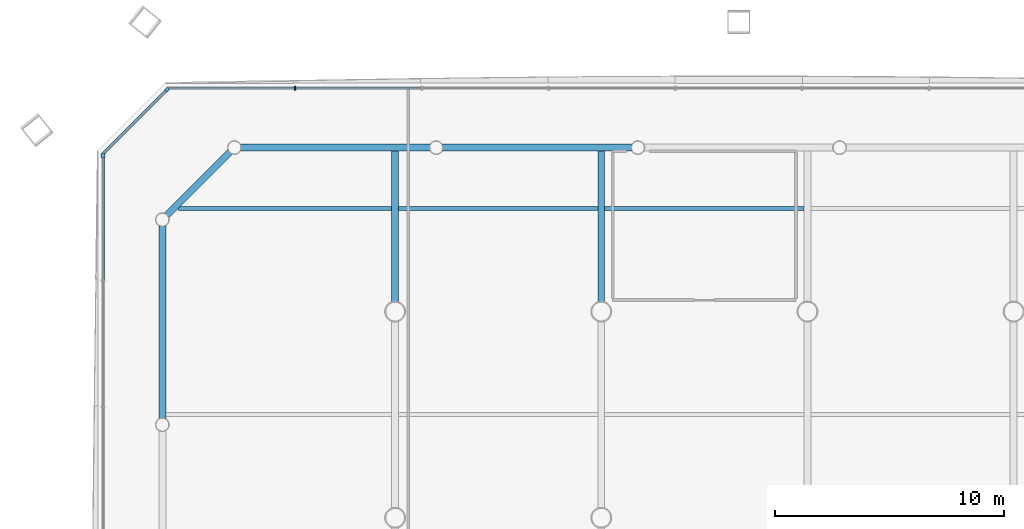
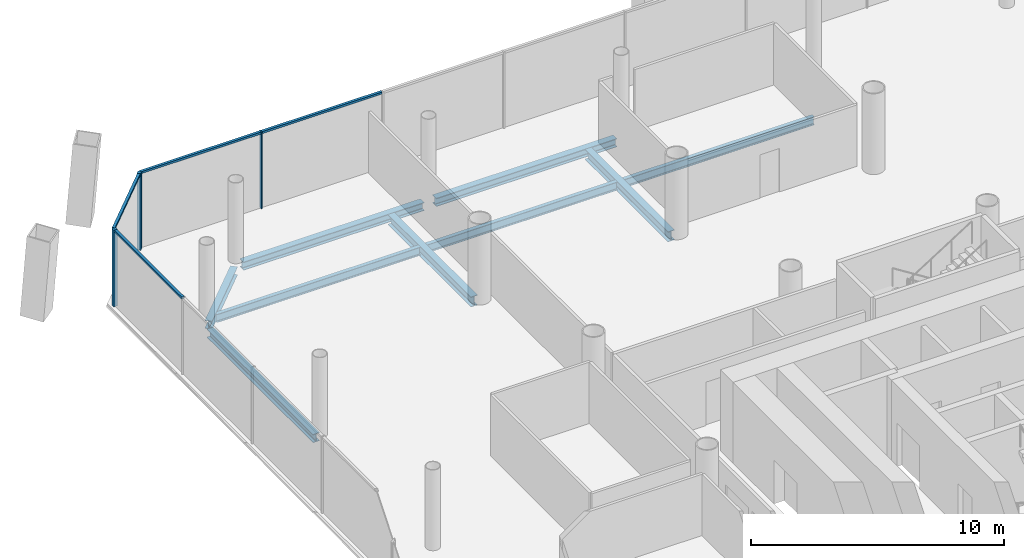
# One storey, part 10 of 23: 9 beams, 7 members, 3 elements without a shape of their own.
"""IFC4 building model written with IfcOpenShell, lengths in metres."""

from ifc_helpers import new_model, si_unit, direction, frame, origin, origin_2d, place, context, subcontext, project, spatial, rectangle, i_section, extrude, material, material_profile, profile_set, type_object, element, aggregate, save


model = new_model("IFC4")

# Units and contexts
model_context = context("Model", 3, precision=1e-05, world=origin(), true_north=direction((0.0, 1.0)))
body_context = subcontext(model_context, "Body", "Model", "MODEL_VIEW")
ifc_project = project(units=[si_unit("LENGTHUNIT", "METRE"), si_unit("AREAUNIT", "SQUARE_METRE"), si_unit("VOLUMEUNIT", "CUBIC_METRE"), si_unit("PLANEANGLEUNIT", "RADIAN"), si_unit("MASSUNIT", "GRAM", prefix="KILO")], contexts=[model_context])

# Site, building, storey
site_placement = place(None, origin())
site = spatial("IfcSite", under=ifc_project, at=site_placement, CompositionType="ELEMENT")
building_placement = place(site_placement, origin())
building = spatial("IfcBuilding", under=site, at=building_placement, Name="Tskaro Facet Tower", CompositionType="ELEMENT")
storey_placement = place(building_placement, frame((0.0, 0.0, 14.699951171875)))
storey = spatial("IfcBuildingStorey", under=building, at=storey_placement, Name="L02", CompositionType="ELEMENT", Elevation=14.699951171875)

# Curtain wall, member
ifc_material_1 = material(Name="Bronze anodised aluminium 6063-T6", Category="aluminium")
curtain_wall_type = type_object("IfcCurtainWallType", Name="Bronze office curtain wall (FW1)", PredefinedType="NOTDEFINED", material=ifc_material_1)
curtain_wall_1_placement = place(storey_placement, origin())
curtain_wall_1 = element("IfcCurtainWall", 1, at=curtain_wall_1_placement, inside=storey, type_object=curtain_wall_type, Name="FW1 north-west facet L02", PredefinedType="NOTDEFINED")
ifc_material_profile_1 = material_profile(ifc_material_1, rectangle(XDim=0.159912109375, YDim=0.159912109375, at=origin_2d()), Name="Corner post 160x160")
ifc_profile_set_1 = profile_set([ifc_material_profile_1], Name="Bronze anodised aluminium 6063-T6")
member_type_1 = type_object("IfcMemberType", Name="FW1 bronze corner post 160x160", PredefinedType="MULLION", material=ifc_profile_set_1)
member_1_placement = place(storey_placement, frame((-27.95263671875, 27.693359375, 0.0), z_axis=(0.0, 0.0, 1.0), x_axis=(-0.707106781187, -0.707106781187, 0.0)))
member_1 = element("IfcMember", 2, at=member_1_placement, type_object=member_type_1, Name="FW1 north-west corner post", PredefinedType="MULLION", context=body_context, shape_type="SweptSolid", body=[
    extrude(rectangle(XDim=0.159912109375, YDim=0.159912109375, at=origin_2d()), origin(), (0.0, 0.0, 1.0), 3.699951171875),
])

curtain_wall_2_placement = place(storey_placement, origin())
curtain_wall_2 = element("IfcCurtainWall", 3, at=curtain_wall_2_placement, inside=storey, type_object=curtain_wall_type, Name="FW1 west facet L02", PredefinedType="NOTDEFINED")
member_2_placement = place(storey_placement, frame((-30.75, 24.81591796875, 0.0), z_axis=(0.0, 0.0, 1.0), x_axis=(0.0, -1.0, 0.0)))
member_2 = element("IfcMember", 4, at=member_2_placement, type_object=member_type_1, Name="FW1 west corner post", PredefinedType="MULLION", context=body_context, shape_type="SweptSolid", body=[
    extrude(rectangle(XDim=0.159912109375, YDim=0.159912109375, at=origin_2d()), origin(), (0.0, 0.0, 1.0), 3.699951171875),
])

# Curtain wall, members
curtain_wall_3_placement = place(storey_placement, origin())
curtain_wall_3 = element("IfcCurtainWall", 5, at=curtain_wall_3_placement, inside=storey, type_object=curtain_wall_type, Name="FW1 north facet L02", PredefinedType="NOTDEFINED")
ifc_material_profile_2 = material_profile(ifc_material_1, rectangle(XDim=0.06005859375, YDim=0.159912109375, at=origin_2d()), Name="Mullion 60x160")
ifc_profile_set_2 = profile_set([ifc_material_profile_2], Name="Bronze anodised aluminium 6063-T6")
member_type_2 = type_object("IfcMemberType", Name="FW1 bronze mullion 60x160", PredefinedType="MULLION", material=ifc_profile_set_2)
member_3_placement = place(storey_placement, frame((-22.363525390625, 27.75, 0.0), z_axis=(0.0, 0.0, 1.0), x_axis=(-1.0, 0.0, 0.0)))
member_3 = element("IfcMember", 6, at=member_3_placement, type_object=member_type_2, Name="FW1 north mullion 8", PredefinedType="MULLION", context=body_context, shape_type="SweptSolid", body=[
    extrude(rectangle(XDim=0.06005859375, YDim=0.159912109375, at=origin_2d()), origin(), (0.0, 0.0, 1.0), 3.699951171875),
])
ifc_material_profile_3 = material_profile(ifc_material_1, rectangle(XDim=0.1201171875, YDim=0.10009765625, at=origin_2d()), Name="Transom 120x100")
ifc_profile_set_3 = profile_set([ifc_material_profile_3], Name="Bronze anodised aluminium 6063-T6")
member_type_3 = type_object("IfcMemberType", Name="FW1 bronze transom 120x100", PredefinedType="USERDEFINED", material=ifc_profile_set_3)
member_4_placement = place(storey_placement, frame((-16.861083984375, 27.75, 3.650146484375), z_axis=(-1.0, 0.0, 0.0), x_axis=(0.0, -1.0, 0.0)))
member_4 = element("IfcMember", 7, at=member_4_placement, type_object=member_type_3, Name="FW1 north transom 8.1", ObjectType="TRANSOM", PredefinedType="USERDEFINED", context=body_context, shape_type="SweptSolid", body=[
    extrude(rectangle(XDim=0.1201171875, YDim=0.10009765625, at=origin_2d()), origin(), (0.0, 0.0, 1.0), 5.472412109375),
])
member_5_placement = place(storey_placement, frame((-22.3935546875, 27.75, 3.650146484375), z_axis=(-1.0, 0.0, 0.0), x_axis=(0.0, -1.0, 0.0)))
member_5 = element("IfcMember", 8, at=member_5_placement, type_object=member_type_3, Name="FW1 north transom 9.1", ObjectType="TRANSOM", PredefinedType="USERDEFINED", context=body_context, shape_type="SweptSolid", body=[
    extrude(rectangle(XDim=0.1201171875, YDim=0.10009765625, at=origin_2d()), origin(), (0.0, 0.0, 1.0), 5.50244140625),
])
aggregate(curtain_wall_3, [member_3, member_4, member_5])

# Member
member_6_placement = place(storey_placement, frame((-28.009033203125, 27.636962890625, 3.650146484375), z_axis=(-0.707106781187, -0.707106781187, 0.0), x_axis=(0.707106781187, -0.707106781187, 0.0)))
member_6 = element("IfcMember", 9, at=member_6_placement, type_object=member_type_3, Name="FW1 north-west transom 1.1", ObjectType="TRANSOM", PredefinedType="USERDEFINED", context=body_context, shape_type="SweptSolid", body=[
    extrude(rectangle(XDim=0.1201171875, YDim=0.10009765625, at=origin_2d()), origin(), (0.0, 0.0, 1.0), 3.876220703125),
])

aggregate(curtain_wall_1, [member_1, member_6])

member_7_placement = place(storey_placement, frame((-30.75, 24.736083984375, 3.650146484375), z_axis=(0.0, -1.0, 0.0), x_axis=(1.0, 0.0, 0.0)))
member_7 = element("IfcMember", 10, at=member_7_placement, type_object=member_type_3, Name="FW1 west transom 1.1", ObjectType="TRANSOM", PredefinedType="USERDEFINED", context=body_context, shape_type="SweptSolid", body=[
    extrude(rectangle(XDim=0.1201171875, YDim=0.10009765625, at=origin_2d()), origin(), (0.0, 0.0, 1.0), 5.342529296875),
])

aggregate(curtain_wall_2, [member_2, member_7])

# Beams
ifc_material_2 = material(Name="Steel S355J2", Category="steel")
ifc_material_profile_4 = material_profile(ifc_material_2, i_section(OverallWidth=0.300048828125, OverallDepth=0.39990234375, WebThickness=0.013427734375, FlangeThickness=0.02392578125, FilletRadius=0.027099609375, at=origin_2d()), Name="HE 400 B")
ifc_profile_set_4 = profile_set([ifc_material_profile_4], Name="Steel S355J2")
beam_type_1 = type_object("IfcBeamType", Name="HE 400 B ring beam", PredefinedType="BEAM", material=ifc_profile_set_4)
beam_1_placement = place(storey_placement, frame((-7.677001953125, 25.156982421875, -0.33984375), z_axis=(-1.0, 0.0, 0.0), x_axis=(0.0, -1.0, 0.0)))
element("IfcBeam", 11, at=beam_1_placement, inside=storey, type_object=beam_type_1, Name="HE 400 B EB17-1", PredefinedType="BEAM", context=body_context, shape_type="SweptSolid", body=[
    extrude(i_section(OverallWidth=0.300048828125, OverallDepth=0.39990234375, WebThickness=0.013427734375, FlangeThickness=0.02392578125, FilletRadius=0.027099609375, at=origin_2d()), origin(), (0.0, 0.0, 1.0), 8.2548828125),
])
beam_2_placement = place(storey_placement, frame((-16.48193359375, 25.156982421875, -0.33984375), z_axis=(-1.0, 0.0, 0.0), x_axis=(0.0, -1.0, 0.0)))
element("IfcBeam", 12, at=beam_2_placement, inside=storey, type_object=beam_type_1, Name="HE 400 B EB18-1", PredefinedType="BEAM", context=body_context, shape_type="SweptSolid", body=[
    extrude(i_section(OverallWidth=0.300048828125, OverallDepth=0.39990234375, WebThickness=0.013427734375, FlangeThickness=0.02392578125, FilletRadius=0.027099609375, at=origin_2d()), origin(), (0.0, 0.0, 1.0), 8.255126953125),
])
beam_3_placement = place(storey_placement, frame((-25.20654296875, 24.962646484375, -0.33984375), z_axis=(-0.707106781187, -0.707106781187, 0.0), x_axis=(0.707106781187, -0.707106781187, 0.0)))
element("IfcBeam", 13, at=beam_3_placement, inside=storey, type_object=beam_type_1, Name="HE 400 B EB19-1", PredefinedType="BEAM", context=body_context, shape_type="SweptSolid", body=[
    extrude(i_section(OverallWidth=0.300048828125, OverallDepth=0.39990234375, WebThickness=0.013427734375, FlangeThickness=0.02392578125, FilletRadius=0.027099609375, at=origin_2d()), origin(), (0.0, 0.0, 1.0), 3.897705078125),
])
beam_4_placement = place(storey_placement, frame((-28.156982421875, 21.737060546875, -0.33984375), z_axis=(0.0, -1.0, 0.0), x_axis=(1.0, 0.0, 0.0)))
element("IfcBeam", 14, at=beam_4_placement, inside=storey, type_object=beam_type_1, Name="HE 400 B EB20-1", PredefinedType="BEAM", context=body_context, shape_type="SweptSolid", body=[
    extrude(i_section(OverallWidth=0.300048828125, OverallDepth=0.39990234375, WebThickness=0.013427734375, FlangeThickness=0.02392578125, FilletRadius=0.027099609375, at=origin_2d()), origin(), (0.0, 0.0, 1.0), 8.39794921875),
])
ifc_material_profile_5 = material_profile(ifc_material_2, i_section(OverallWidth=0.300048828125, OverallDepth=0.489990234375, WebThickness=0.011962890625, FlangeThickness=0.02294921875, FilletRadius=0.027099609375, at=origin_2d()), Name="HE 500 A")
ifc_profile_set_5 = profile_set([ifc_material_profile_5], Name="Steel S355J2")
beam_type_2 = type_object("IfcBeamType", Name="HE 500 A girder", PredefinedType="BEAM", material=ifc_profile_set_5)
for number, where, z_axis, x_axis, name in (
    (15, (-18.0, 18.42724609375, -0.385009765625), (0.0, 1.0, 0.0), (-1.0, 0.0, 0.0), "HE 500 A GB2-6-1"),
    (16, (-9.0, 18.42724609375, -0.385009765625), (0.0, 1.0, 0.0), (-1.0, 0.0, 0.0), "HE 500 A GB3-5-1"),
):
    element("IfcBeam", number, at=place(storey_placement, frame(where, z_axis=z_axis, x_axis=x_axis)), inside=storey, type_object=beam_type_2, Name=name, PredefinedType="BEAM", context=body_context, shape_type="SweptSolid", body=[
        extrude(i_section(OverallWidth=0.300048828125, OverallDepth=0.489990234375, WebThickness=0.011962890625, FlangeThickness=0.02294921875, FilletRadius=0.027099609375, at=origin_2d()), origin(), (0.0, 0.0, 1.0), 6.579833984375),
    ])
ifc_material_profile_6 = material_profile(ifc_material_2, i_section(OverallWidth=0.179931640625, OverallDepth=0.39990234375, WebThickness=0.008544921875, FlangeThickness=0.013427734375, FilletRadius=0.02099609375, at=origin_2d()), Name="IPE 400")
ifc_profile_set_6 = profile_set([ifc_material_profile_6], Name="Steel S355J2")
beam_type_3 = type_object("IfcBeamType", Name="IPE 400 secondary beam", PredefinedType="BEAM", material=ifc_profile_set_6)
beam_5_placement = place(storey_placement, frame((-27.45703125, 22.5, -0.33984375), z_axis=(1.0, 0.0, 0.0), x_axis=(0.0, 1.0, 0.0)))
element("IfcBeam", 17, at=beam_5_placement, inside=storey, type_object=beam_type_3, Name="IPE 400 SB6a-1-1", PredefinedType="BEAM", context=body_context, shape_type="SweptSolid", body=[
    extrude(i_section(OverallWidth=0.179931640625, OverallDepth=0.39990234375, WebThickness=0.008544921875, FlangeThickness=0.013427734375, FilletRadius=0.02099609375, at=origin_2d()), origin(), (0.0, 0.0, 1.0), 9.30712890625),
])
for number, where, z_axis, x_axis, name in (
    (18, (-17.85009765625, 22.5, -0.33984375), (1.0, 0.0, 0.0), (0.0, 1.0, 0.0), "IPE 400 SB6a-2-1"),
    (19, (-8.85009765625, 22.5, -0.33984375), (1.0, 0.0, 0.0), (0.0, 1.0, 0.0), "IPE 400 SB6a-3-1"),
):
    element("IfcBeam", number, at=place(storey_placement, frame(where, z_axis=z_axis, x_axis=x_axis)), inside=storey, type_object=beam_type_3, Name=name, PredefinedType="BEAM", context=body_context, shape_type="SweptSolid", body=[
        extrude(i_section(OverallWidth=0.179931640625, OverallDepth=0.39990234375, WebThickness=0.008544921875, FlangeThickness=0.013427734375, FilletRadius=0.02099609375, at=origin_2d()), origin(), (0.0, 0.0, 1.0), 8.7001953125),
    ])

save(model, "model.ifc")
